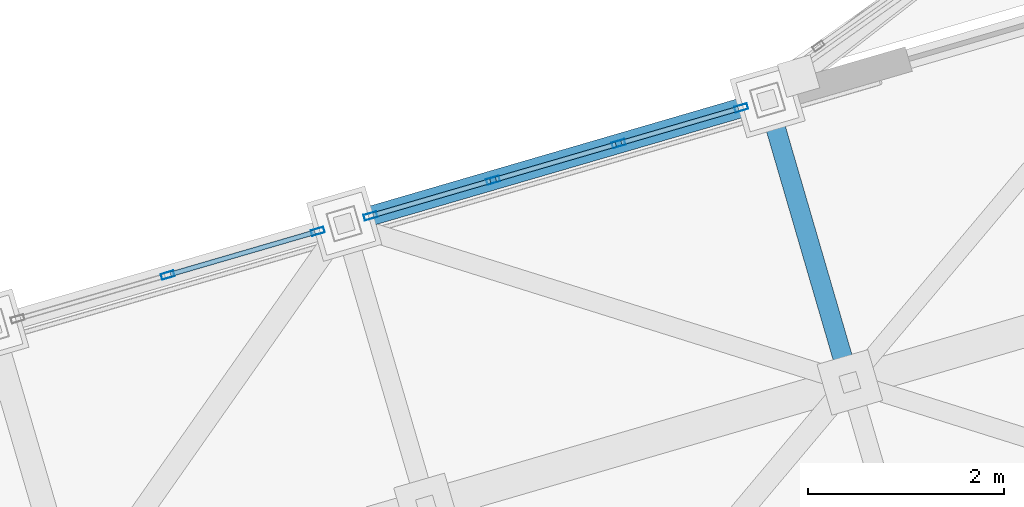
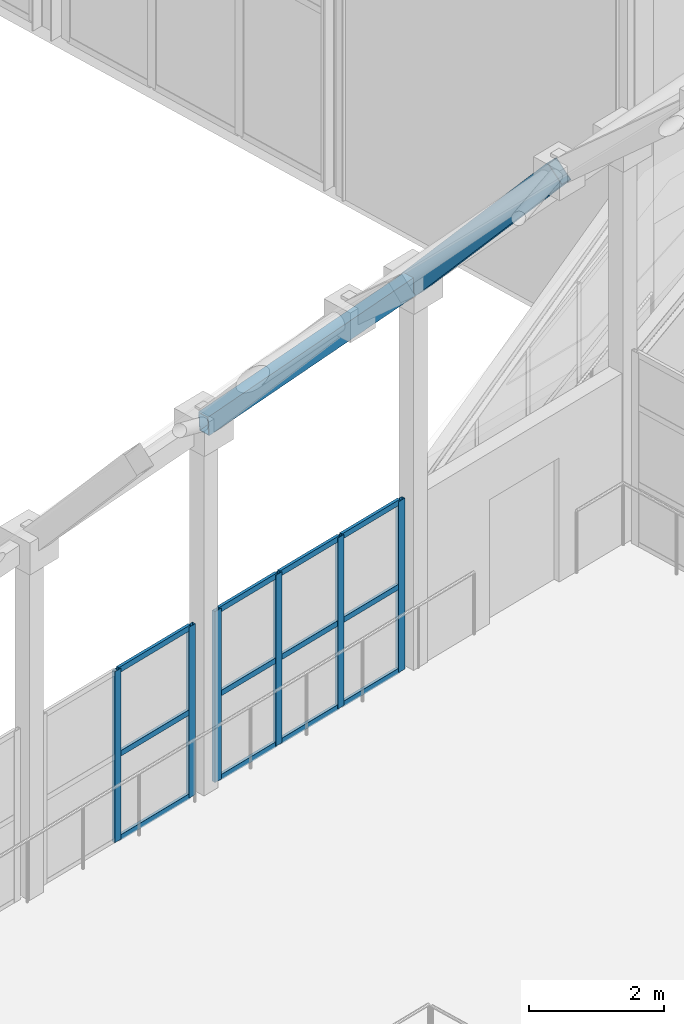
# One storey, part 120 of 248: 18 members, 2 beams, 2 elements without a shape of their own.
"""IFC4 building model written with IfcOpenShell, lengths in metres."""

from ifc_helpers import new_model, si_unit, direction, frame, origin, origin_2d, place, context, subcontext, project, spatial, hollow_rectangle, extrude, material, layer, layer_set, material_profile, profile_set, type_object, element, aggregate, save


model = new_model("IFC4")

# Units and contexts
model_context = context("Model", 3, precision=1e-05, world=origin(), true_north=direction((0.0, 1.0)))
body_context = subcontext(model_context, "Body", "Model", "MODEL_VIEW")
ifc_project = project(units=[si_unit("LENGTHUNIT", "METRE"), si_unit("AREAUNIT", "SQUARE_METRE"), si_unit("VOLUMEUNIT", "CUBIC_METRE"), si_unit("PLANEANGLEUNIT", "RADIAN"), si_unit("MASSUNIT", "GRAM", prefix="KILO")], contexts=[model_context])

# Site, building, storey
site_placement = place(None, origin())
site = spatial("IfcSite", under=ifc_project, at=site_placement, CompositionType="ELEMENT")
building_placement = place(site_placement, origin())
building = spatial("IfcBuilding", under=site, at=building_placement, Name="Canggui Botanical Conservatory", CompositionType="ELEMENT")
storey_placement = place(building_placement, frame((0.0, 0.0, 5.39990234375)))
storey = spatial("IfcBuildingStorey", under=building, at=storey_placement, Name="L02", CompositionType="ELEMENT", Elevation=5.39990234375)

# Beams
ifc_material_1 = material(Name="Steel Q355C", Category="steel")
ifc_material_profile_1 = material_profile(ifc_material_1, hollow_rectangle(XDim=0.199951171875, YDim=0.39990234375, WallThickness=0.011962890625, at=origin_2d()), Name="RHS 200x400x12")
ifc_profile_set_1 = profile_set([ifc_material_profile_1], Name="Steel Q355C")
beam_type_1 = type_object("IfcBeamType", Name="BM-GJ04", PredefinedType="BEAM", material=ifc_profile_set_1)
beam_1_placement = place(storey_placement, frame((59.9599609375, 81.780029296875, 10.356201171875), z_axis=(-0.183516511104, 0.629290920054, -0.755191782324), x_axis=(-0.960010937337, -0.279962497833, 0.0)))
element("IfcBeam", 1, at=beam_1_placement, inside=storey, type_object=beam_type_1, Name="Conservatory Stepped-Arch Rib GJ-14 Segment 10", PredefinedType="BEAM", context=body_context, shape_type="SweptSolid", body=[
    extrude(hollow_rectangle(XDim=0.199951171875, YDim=0.39990234375, WallThickness=0.011962890625, at=origin_2d()), origin(), (0.0, 0.0, 1.0), 4.576416015625),
])
ifc_material_profile_2 = material_profile(ifc_material_1, hollow_rectangle(XDim=0.199951171875, YDim=0.35009765625, WallThickness=0.011962890625, at=origin_2d()), Name="RHS 200x350x12")
ifc_profile_set_2 = profile_set([ifc_material_profile_2], Name="Steel Q355C")
beam_type_2 = type_object("IfcBeamType", Name="BM-RING01", PredefinedType="BEAM", material=ifc_profile_set_2)
beam_2_placement = place(storey_placement, frame((54.800048828125, 83.39990234375, 6.60009765625), z_axis=(0.957873732332, 0.279377583078, 0.066528783105), x_axis=(-0.279997916698, 0.960000607627, 0.0)))
element("IfcBeam", 2, at=beam_2_placement, inside=storey, type_object=beam_type_2, Name="Conservatory Perimeter Ring Beam V1-13", PredefinedType="BEAM", context=body_context, shape_type="SweptSolid", body=[
    extrude(hollow_rectangle(XDim=0.199951171875, YDim=0.35009765625, WallThickness=0.011962890625, at=origin_2d()), origin(), (0.0, 0.0, 1.0), 4.510009765625),
])

# Curtain wall, members
ifc_material_2 = material(Name="Thermally Broken Aluminium", Category="aluminium")
ifc_layer = layer(ifc_material_2, 0.135009765625, Name="Thermally Broken Aluminium", Category="aluminium")
ifc_layer_set = layer_set([ifc_layer], Name="Thermally Broken Aluminium")
curtain_wall_type = type_object("IfcCurtainWallType", Name="CW-STICK-A", PredefinedType="USERDEFINED", material=ifc_layer_set)
curtain_wall_1_placement = place(storey_placement, origin())
curtain_wall_1 = element("IfcCurtainWall", 3, at=curtain_wall_1_placement, inside=storey, type_object=curtain_wall_type, Name="Facade Curtain Wall CW-CONS-L02-V1-12", ObjectType="STICK GLAZED WALL", PredefinedType="USERDEFINED")
ifc_material_profile_3 = material_profile(ifc_material_2, hollow_rectangle(XDim=0.06005859375, YDim=0.135009765625, WallThickness=0.00341796875, at=origin_2d()), Name="CWM 60x135x3.5")
ifc_profile_set_3 = profile_set([ifc_material_profile_3], Name="Thermally Broken Aluminium")
member_type_1 = type_object("IfcMemberType", Name="CWM-04", PredefinedType="MULLION", material=ifc_profile_set_3)
member_1_placement = place(storey_placement, frame((53.0, 82.875, 0.0), z_axis=(0.0, 0.0, 1.0), x_axis=(-0.279999999995, 0.960000000002, 0.0)))
member_1 = element("IfcMember", 4, at=member_1_placement, type_object=member_type_1, Name="CW-04 mullion 2", PredefinedType="MULLION", context=body_context, shape_type="SweptSolid", body=[
    extrude(hollow_rectangle(XDim=0.06005859375, YDim=0.135009765625, WallThickness=0.00341796875, at=origin_2d()), origin(), (0.0, 0.0, 1.0), 3.10009765625),
])
member_2_placement = place(storey_placement, frame((54.53125, 83.321533203125, 0.0), z_axis=(0.0, 0.0, 1.0), x_axis=(-0.279999999995, 0.960000000002, 0.0)))
member_2 = element("IfcMember", 5, at=member_2_placement, type_object=member_type_1, Name="CW-04 mullion 3", PredefinedType="MULLION", context=body_context, shape_type="SweptSolid", body=[
    extrude(hollow_rectangle(XDim=0.06005859375, YDim=0.135009765625, WallThickness=0.00341796875, at=origin_2d()), origin(), (0.0, 0.0, 1.0), 3.10009765625),
])

curtain_wall_2_placement = place(storey_placement, origin())
curtain_wall_2 = element("IfcCurtainWall", 6, at=curtain_wall_2_placement, inside=storey, type_object=curtain_wall_type, Name="Facade Curtain Wall CW-CONS-L02-V1-13", ObjectType="STICK GLAZED WALL", PredefinedType="USERDEFINED")
member_3_placement = place(storey_placement, frame((55.06884765625, 83.478515625, 0.0), z_axis=(0.0, 0.0, 1.0), x_axis=(-0.279999999995, 0.960000000002, 0.0)))
member_3 = element("IfcMember", 7, at=member_3_placement, type_object=member_type_1, Name="CW-04 mullion 1", PredefinedType="MULLION", context=body_context, shape_type="SweptSolid", body=[
    extrude(hollow_rectangle(XDim=0.06005859375, YDim=0.135009765625, WallThickness=0.00341796875, at=origin_2d()), origin(), (0.0, 0.0, 1.0), 3.10009765625),
])
member_4_placement = place(storey_placement, frame((56.320068359375, 83.84326171875, 0.0), z_axis=(0.0, 0.0, 1.0), x_axis=(-0.279999999995, 0.960000000002, 0.0)))
member_4 = element("IfcMember", 8, at=member_4_placement, type_object=member_type_1, Name="CW-04 mullion 2", PredefinedType="MULLION", context=body_context, shape_type="SweptSolid", body=[
    extrude(hollow_rectangle(XDim=0.06005859375, YDim=0.135009765625, WallThickness=0.00341796875, at=origin_2d()), origin(), (0.0, 0.0, 1.0), 3.10009765625),
])
member_5_placement = place(storey_placement, frame((57.60009765625, 84.216552734375, 0.0), z_axis=(0.0, 0.0, 1.0), x_axis=(-0.279999999995, 0.960000000002, 0.0)))
member_5 = element("IfcMember", 9, at=member_5_placement, type_object=member_type_1, Name="CW-04 mullion 3", PredefinedType="MULLION", context=body_context, shape_type="SweptSolid", body=[
    extrude(hollow_rectangle(XDim=0.06005859375, YDim=0.135009765625, WallThickness=0.00341796875, at=origin_2d()), origin(), (0.0, 0.0, 1.0), 3.10009765625),
])
member_6_placement = place(storey_placement, frame((58.851318359375, 84.58154296875, 0.0), z_axis=(0.0, 0.0, 1.0), x_axis=(-0.279999999995, 0.960000000002, 0.0)))
member_6 = element("IfcMember", 10, at=member_6_placement, type_object=member_type_1, Name="CW-04 mullion 4", PredefinedType="MULLION", context=body_context, shape_type="SweptSolid", body=[
    extrude(hollow_rectangle(XDim=0.06005859375, YDim=0.135009765625, WallThickness=0.00341796875, at=origin_2d()), origin(), (0.0, 0.0, 1.0), 3.10009765625),
])

# Member
ifc_material_profile_4 = material_profile(ifc_material_2, hollow_rectangle(XDim=0.050048828125, YDim=0.10009765625, WallThickness=0.0029296875, at=origin_2d()), Name="CWT 50x100x3")
ifc_profile_set_4 = profile_set([ifc_material_profile_4], Name="Thermally Broken Aluminium")
member_type_2 = type_object("IfcMemberType", Name="CWT-04", PredefinedType="USERDEFINED", material=ifc_profile_set_4)
member_7_placement = place(storey_placement, frame((53.02880859375, 82.88330078125, 0.025146484375), z_axis=(0.959978621933, 0.280073285822, 0.0), x_axis=(-0.280073285822, 0.959978621933, 0.0)))
member_7 = element("IfcMember", 11, at=member_7_placement, type_object=member_type_2, Name="CW-04 transom 2.1", ObjectType="TRANSOM", PredefinedType="USERDEFINED", context=body_context, shape_type="SweptSolid", body=[
    extrude(hollow_rectangle(XDim=0.050048828125, YDim=0.10009765625, WallThickness=0.0029296875, at=origin_2d()), origin(), (0.0, 0.0, 1.0), 1.53515625),
])

member_8_placement = place(storey_placement, frame((53.02880859375, 82.88330078125, 1.550048828125), z_axis=(0.959978621933, 0.280073285822, 0.0), x_axis=(-0.280073285822, 0.959978621933, 0.0)))
member_8 = element("IfcMember", 12, at=member_8_placement, type_object=member_type_2, Name="CW-04 transom 2.2", ObjectType="TRANSOM", PredefinedType="USERDEFINED", context=body_context, shape_type="SweptSolid", body=[
    extrude(hollow_rectangle(XDim=0.050048828125, YDim=0.10009765625, WallThickness=0.0029296875, at=origin_2d()), origin(), (0.0, 0.0, 1.0), 1.53515625),
])

member_9_placement = place(storey_placement, frame((53.02880859375, 82.88330078125, 3.0751953125), z_axis=(0.959978621933, 0.280073285822, 0.0), x_axis=(-0.280073285822, 0.959978621933, 0.0)))
member_9 = element("IfcMember", 13, at=member_9_placement, type_object=member_type_2, Name="CW-04 transom 2.3", ObjectType="TRANSOM", PredefinedType="USERDEFINED", context=body_context, shape_type="SweptSolid", body=[
    extrude(hollow_rectangle(XDim=0.050048828125, YDim=0.10009765625, WallThickness=0.0029296875, at=origin_2d()), origin(), (0.0, 0.0, 1.0), 1.53515625),
])

aggregate(curtain_wall_1, [member_1, member_2, member_7, member_8, member_9])

member_10_placement = place(storey_placement, frame((55.09765625, 83.48681640625, 0.025146484375), z_axis=(0.959997800753, 0.280007540166, 0.0), x_axis=(-0.280007540166, 0.959997800753, 0.0)))
member_10 = element("IfcMember", 14, at=member_10_placement, type_object=member_type_2, Name="CW-04 transom 1.1", ObjectType="TRANSOM", PredefinedType="USERDEFINED", context=body_context, shape_type="SweptSolid", body=[
    extrude(hollow_rectangle(XDim=0.050048828125, YDim=0.10009765625, WallThickness=0.0029296875, at=origin_2d()), origin(), (0.0, 0.0, 1.0), 1.243408203125),
])

member_11_placement = place(storey_placement, frame((55.09765625, 83.48681640625, 1.550048828125), z_axis=(0.959997800753, 0.280007540166, 0.0), x_axis=(-0.280007540166, 0.959997800753, 0.0)))
member_11 = element("IfcMember", 15, at=member_11_placement, type_object=member_type_2, Name="CW-04 transom 1.2", ObjectType="TRANSOM", PredefinedType="USERDEFINED", context=body_context, shape_type="SweptSolid", body=[
    extrude(hollow_rectangle(XDim=0.050048828125, YDim=0.10009765625, WallThickness=0.0029296875, at=origin_2d()), origin(), (0.0, 0.0, 1.0), 1.243408203125),
])

member_12_placement = place(storey_placement, frame((55.09765625, 83.48681640625, 3.0751953125), z_axis=(0.959997800753, 0.280007540166, 0.0), x_axis=(-0.280007540166, 0.959997800753, 0.0)))
member_12 = element("IfcMember", 16, at=member_12_placement, type_object=member_type_2, Name="CW-04 transom 1.3", ObjectType="TRANSOM", PredefinedType="USERDEFINED", context=body_context, shape_type="SweptSolid", body=[
    extrude(hollow_rectangle(XDim=0.050048828125, YDim=0.10009765625, WallThickness=0.0029296875, at=origin_2d()), origin(), (0.0, 0.0, 1.0), 1.243408203125),
])

member_13_placement = place(storey_placement, frame((56.348876953125, 83.851806640625, 0.025146484375), z_axis=(0.960019324645, 0.279933735567, 0.0), x_axis=(-0.279933735567, 0.960019324645, 0.0)))
member_13 = element("IfcMember", 17, at=member_13_placement, type_object=member_type_2, Name="CW-04 transom 2.1", ObjectType="TRANSOM", PredefinedType="USERDEFINED", context=body_context, shape_type="SweptSolid", body=[
    extrude(hollow_rectangle(XDim=0.050048828125, YDim=0.10009765625, WallThickness=0.0029296875, at=origin_2d()), origin(), (0.0, 0.0, 1.0), 1.2734375),
])

member_14_placement = place(storey_placement, frame((56.348876953125, 83.851806640625, 1.550048828125), z_axis=(0.960019324645, 0.279933735567, 0.0), x_axis=(-0.279933735567, 0.960019324645, 0.0)))
member_14 = element("IfcMember", 18, at=member_14_placement, type_object=member_type_2, Name="CW-04 transom 2.2", ObjectType="TRANSOM", PredefinedType="USERDEFINED", context=body_context, shape_type="SweptSolid", body=[
    extrude(hollow_rectangle(XDim=0.050048828125, YDim=0.10009765625, WallThickness=0.0029296875, at=origin_2d()), origin(), (0.0, 0.0, 1.0), 1.2734375),
])

member_15_placement = place(storey_placement, frame((56.348876953125, 83.851806640625, 3.0751953125), z_axis=(0.960019324645, 0.279933735567, 0.0), x_axis=(-0.279933735567, 0.960019324645, 0.0)))
member_15 = element("IfcMember", 19, at=member_15_placement, type_object=member_type_2, Name="CW-04 transom 2.3", ObjectType="TRANSOM", PredefinedType="USERDEFINED", context=body_context, shape_type="SweptSolid", body=[
    extrude(hollow_rectangle(XDim=0.050048828125, YDim=0.10009765625, WallThickness=0.0029296875, at=origin_2d()), origin(), (0.0, 0.0, 1.0), 1.2734375),
])

member_16_placement = place(storey_placement, frame((57.62890625, 84.22509765625, 0.025146484375), z_axis=(0.959997800753, 0.280007540166, 0.0), x_axis=(-0.280007540166, 0.959997800753, 0.0)))
member_16 = element("IfcMember", 20, at=member_16_placement, type_object=member_type_2, Name="CW-04 transom 3.1", ObjectType="TRANSOM", PredefinedType="USERDEFINED", context=body_context, shape_type="SweptSolid", body=[
    extrude(hollow_rectangle(XDim=0.050048828125, YDim=0.10009765625, WallThickness=0.0029296875, at=origin_2d()), origin(), (0.0, 0.0, 1.0), 1.243408203125),
])

member_17_placement = place(storey_placement, frame((57.62890625, 84.22509765625, 1.550048828125), z_axis=(0.959997800753, 0.280007540166, 0.0), x_axis=(-0.280007540166, 0.959997800753, 0.0)))
member_17 = element("IfcMember", 21, at=member_17_placement, type_object=member_type_2, Name="CW-04 transom 3.2", ObjectType="TRANSOM", PredefinedType="USERDEFINED", context=body_context, shape_type="SweptSolid", body=[
    extrude(hollow_rectangle(XDim=0.050048828125, YDim=0.10009765625, WallThickness=0.0029296875, at=origin_2d()), origin(), (0.0, 0.0, 1.0), 1.243408203125),
])

member_18_placement = place(storey_placement, frame((57.62890625, 84.22509765625, 3.0751953125), z_axis=(0.959997800753, 0.280007540166, 0.0), x_axis=(-0.280007540166, 0.959997800753, 0.0)))
member_18 = element("IfcMember", 22, at=member_18_placement, type_object=member_type_2, Name="CW-04 transom 3.3", ObjectType="TRANSOM", PredefinedType="USERDEFINED", context=body_context, shape_type="SweptSolid", body=[
    extrude(hollow_rectangle(XDim=0.050048828125, YDim=0.10009765625, WallThickness=0.0029296875, at=origin_2d()), origin(), (0.0, 0.0, 1.0), 1.243408203125),
])

aggregate(curtain_wall_2, [member_3, member_4, member_5, member_6, member_10, member_11, member_12, member_13, member_14, member_15, member_16, member_17, member_18])

save(model, "model.ifc")
